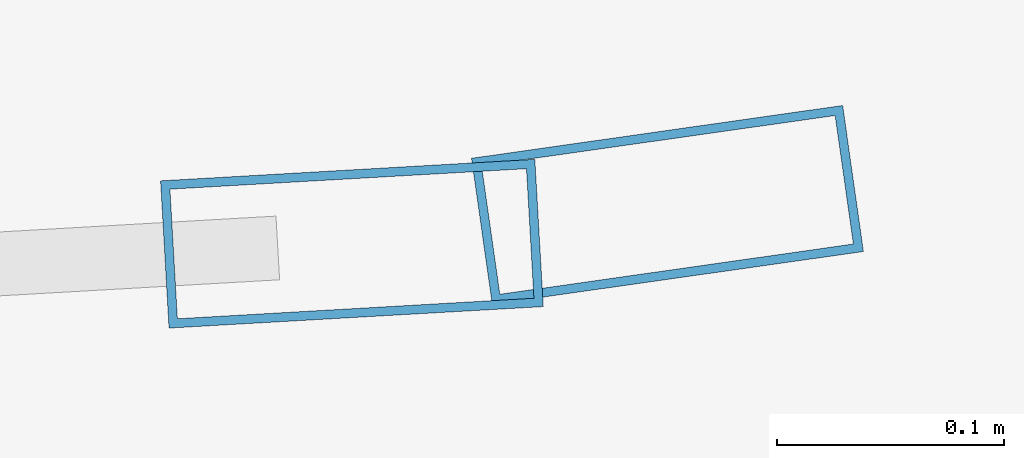
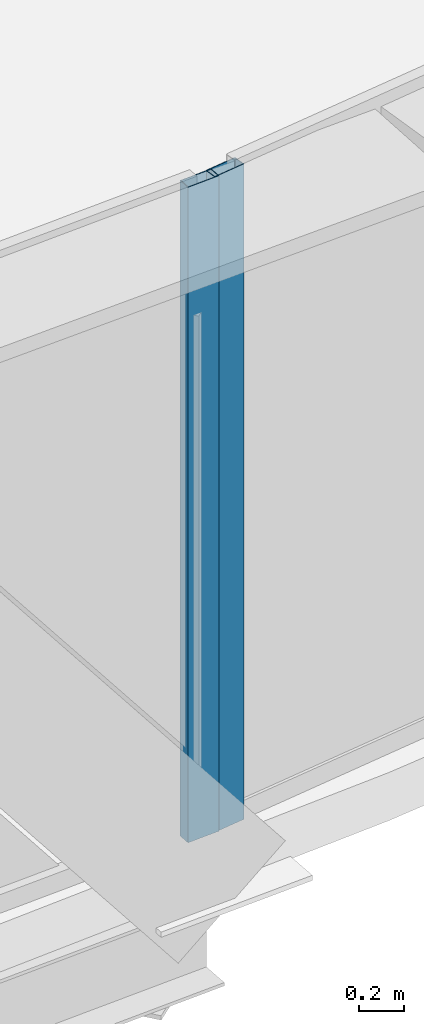
# One storey, part 12 of 39: 2 members, 2 elements without a shape of their own.
"""IFC4 building model written with IfcOpenShell, lengths in metres."""

from ifc_helpers import new_model, si_unit, direction, frame, origin, origin_2d, place, context, subcontext, project, spatial, hollow_rectangle, extrude, source, transform, mapped, material, layer, layer_set, material_profile, profile_set, type_object, element, aggregate, save


model = new_model("IFC4")

# Units and contexts
model_context = context("Model", 3, precision=1e-05, world=origin(), true_north=direction((0.0, 1.0)))
body_context = subcontext(model_context, "Body", "Model", "MODEL_VIEW")
ifc_project = project(units=[si_unit("LENGTHUNIT", "METRE"), si_unit("AREAUNIT", "SQUARE_METRE"), si_unit("VOLUMEUNIT", "CUBIC_METRE"), si_unit("PLANEANGLEUNIT", "RADIAN"), si_unit("MASSUNIT", "GRAM", prefix="KILO"), si_unit("THERMODYNAMICTEMPERATUREUNIT", "KELVIN"), si_unit("POWERUNIT", "WATT")], contexts=[model_context])

# Site, building, storey
site_placement = place(None, origin())
site = spatial("IfcSite", under=ifc_project, at=site_placement, CompositionType="ELEMENT")
building_placement = place(site_placement, origin())
building = spatial("IfcBuilding", under=site, at=building_placement, Name="Yunzhuo Pagoda Commons", CompositionType="ELEMENT")
storey_placement = place(building_placement, frame((0.0, 0.0, 96.3798828125)))
storey = spatial("IfcBuildingStorey", under=building, at=storey_placement, Name="L24", CompositionType="ELEMENT", Elevation=96.3798828125)

# Curtain wall, member
ifc_material = material(Name="Anodized aluminium 6063-T6", Category="aluminium")
ifc_layer = layer(ifc_material, 0.1650390625)
ifc_layer_set = layer_set([ifc_layer], Name="Anodized aluminium 6063-T6")
curtain_wall_type = type_object("IfcCurtainWallType", Name="CW-LOW Low-Zone Ribbon Curtain Wall", PredefinedType="NOTDEFINED", material=ifc_layer_set)
curtain_wall_1_placement = place(storey_placement, origin())
curtain_wall_1 = element("IfcCurtainWall", 1, at=curtain_wall_1_placement, inside=storey, type_object=curtain_wall_type, Name="L24 curtain wall CW-L24-F1B4", PredefinedType="NOTDEFINED")
ifc_material_profile = material_profile(ifc_material, hollow_rectangle(XDim=0.06494140625, YDim=0.1650390625, WallThickness=0.00390625, at=origin_2d()), Name="Anodized aluminium 6063-T6")
ifc_profile_set = profile_set([ifc_material_profile], Name="Anodized aluminium 6063-T6")
member_type = type_object("IfcMemberType", Name="CW-LOW-M Mullion RHS 165x65x4", PredefinedType="MULLION", material=ifc_profile_set)
shared_shape = source(origin(), body_context, "Body", "SweptSolid", [
    extrude(hollow_rectangle(XDim=0.06494140625, YDim=0.1650390625, WallThickness=0.00390625, at=origin_2d()), origin(), (0.0, 0.0, 1.0), 3.5400390625),
])
member_1_placement = place(storey_placement, frame((65.717041015625, 12.545166015625, 0.0), z_axis=(0.0, 0.0, 1.0), x_axis=(-0.057299493103, 0.998357034377, 0.0)))
member_1 = element("IfcMember", 2, at=member_1_placement, type_object=member_type, Name="CW mullion 2", PredefinedType="MULLION", context=body_context, shape_type="MappedRepresentation", body=[
    mapped(shared_shape, transform((0.0, 0.0, 0.0), scale=1.0)),
])
aggregate(curtain_wall_1, [member_1])

curtain_wall_2_placement = place(storey_placement, origin())
curtain_wall_2 = element("IfcCurtainWall", 3, at=curtain_wall_2_placement, inside=storey, type_object=curtain_wall_type, Name="L24 curtain wall CW-L24-F1B5", PredefinedType="NOTDEFINED")
member_2_placement = place(storey_placement, frame((65.85595703125, 12.562255859375, 0.0), z_axis=(0.0, 0.0, 1.0), x_axis=(-0.140773671614, 0.990041803855, 0.0)))
member_2 = element("IfcMember", 4, at=member_2_placement, type_object=member_type, Name="CW mullion 1", PredefinedType="MULLION", context=body_context, shape_type="MappedRepresentation", body=[
    mapped(shared_shape, transform((0.0, 0.0, 0.0), scale=1.0)),
])
aggregate(curtain_wall_2, [member_2])

save(model, "model.ifc")
